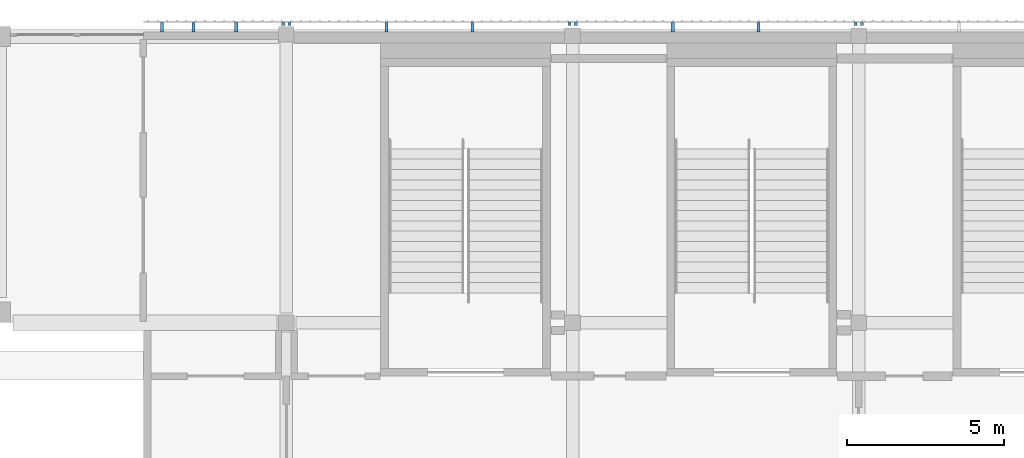
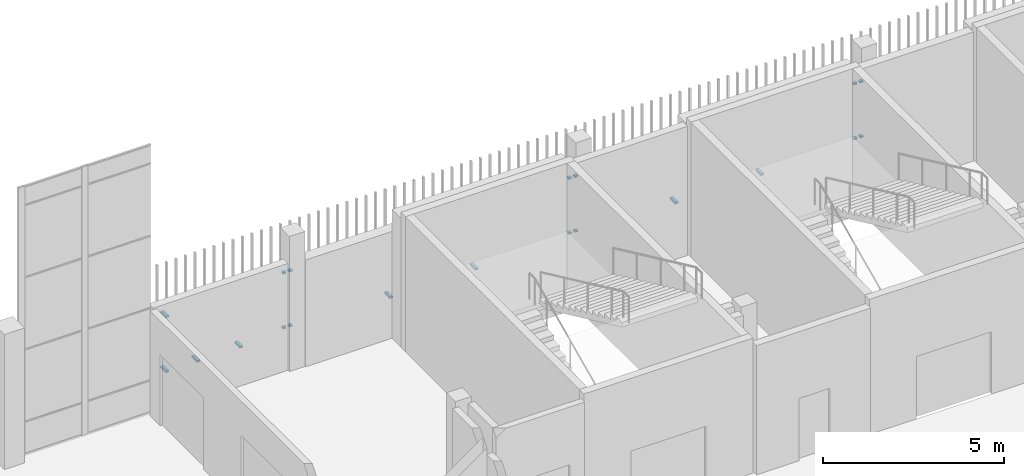
# One storey, part 69 of 91: 20 discrete accessories.
"""IFC4 building model written with IfcOpenShell, lengths in metres."""

from ifc_helpers import new_model, si_unit, direction, frame, origin, origin_2d, place, context, subcontext, project, spatial, rectangle, extrude, material, type_object, element, save


model = new_model("IFC4")

# Units and contexts
model_context = context("Model", 3, precision=1e-05, world=origin(), true_north=direction((0.0, 1.0)))
body_context = subcontext(model_context, "Body", "Model", "MODEL_VIEW")
ifc_project = project(units=[si_unit("LENGTHUNIT", "METRE"), si_unit("AREAUNIT", "SQUARE_METRE"), si_unit("VOLUMEUNIT", "CUBIC_METRE"), si_unit("PLANEANGLEUNIT", "RADIAN"), si_unit("MASSUNIT", "GRAM", prefix="KILO")], contexts=[model_context])

# Site, building, storey
site_placement = place(None, origin())
site = spatial("IfcSite", under=ifc_project, at=site_placement, CompositionType="ELEMENT")
building_placement = place(site_placement, origin())
building = spatial("IfcBuilding", under=site, at=building_placement, Name="Shirokan Park Arena", CompositionType="ELEMENT")
storey_placement = place(building_placement, frame((0.0, 0.0, 24.570068359375)))
storey = spatial("IfcBuildingStorey", under=building, at=storey_placement, Name="L05", CompositionType="ELEMENT", Elevation=24.570068359375)

# Discrete accessories
ifc_material = material(Name="Steel S355", Category="steel")
discrete_accessory_type = type_object("IfcDiscreteAccessoryType", Name="Veil bracket 100x60", PredefinedType="BRACKET", material=ifc_material)
for number, where, z_axis, x_axis, name in (
    (1, (127.5, 109.597412109375, 1.06982421875), (0.0, 0.0, 1.0), (-1.0, 0.0, 0.0), "Veil bracket north bay 2 L05 2"),
    (2, (127.5, 109.597412109375, 2.919921875), (0.0, 0.0, 1.0), (-1.0, 0.0, 0.0), "Veil bracket north bay 2 L05 4"),
    (3, (127.300048828125, 109.597412109375, 1.06982421875), (0.0, 0.0, 1.0), (-1.0, 0.0, 0.0), "Veil bracket north bay 3 L05 1"),
    (4, (118.39990234375, 109.597412109375, 1.06982421875), (0.0, 0.0, 1.0), (-1.0, 0.0, 0.0), "Veil bracket north bay 3 L05 2"),
    (5, (127.300048828125, 109.597412109375, 2.919921875), (0.0, 0.0, 1.0), (-1.0, 0.0, 0.0), "Veil bracket north bay 3 L05 3"),
    (6, (118.39990234375, 109.597412109375, 2.919921875), (0.0, 0.0, 1.0), (-1.0, 0.0, 0.0), "Veil bracket north bay 3 L05 4"),
):
    element("IfcDiscreteAccessory", number, at=place(storey_placement, frame(where, z_axis=z_axis, x_axis=x_axis)), inside=storey, type_object=discrete_accessory_type, Name=name, PredefinedType="BRACKET", context=body_context, shape_type="SweptSolid", body=[
        extrude(rectangle(XDim=0.10009765625, YDim=0.094970703125, at=origin_2d()), origin(), (0.0, 0.0, 1.0), 0.06005859375),
    ])
for number, where, z_axis, x_axis, name in (
    (7, (124.215087890625, 109.49755859375, 1.06982421875), (0.0, 0.0, 1.0), (-1.0, 0.0, 0.0), "Veil bracket north bay 3 L05 wall 1"),
    (8, (121.485107421875, 109.49755859375, 1.06982421875), (0.0, 0.0, 1.0), (-1.0, 0.0, 0.0), "Veil bracket north bay 3 L05 wall 2"),
):
    element("IfcDiscreteAccessory", number, at=place(storey_placement, frame(where, z_axis=z_axis, x_axis=x_axis)), inside=storey, type_object=discrete_accessory_type, Name=name, PredefinedType="BRACKET", context=body_context, shape_type="SweptSolid", body=[
        extrude(rectangle(XDim=0.10009765625, YDim=0.294921875, at=origin_2d()), origin(), (0.0, 0.0, 1.0), 0.06005859375),
    ])
for number, where, z_axis, x_axis, name in (
    (9, (118.199951171875, 109.597412109375, 1.06982421875), (0.0, 0.0, 1.0), (-1.0, 0.0, 0.0), "Veil bracket north bay 4 L05 1"),
    (10, (109.300048828125, 109.597412109375, 1.06982421875), (0.0, 0.0, 1.0), (-1.0, 0.0, 0.0), "Veil bracket north bay 4 L05 2"),
    (11, (118.199951171875, 109.597412109375, 2.919921875), (0.0, 0.0, 1.0), (-1.0, 0.0, 0.0), "Veil bracket north bay 4 L05 3"),
    (12, (109.300048828125, 109.597412109375, 2.919921875), (0.0, 0.0, 1.0), (-1.0, 0.0, 0.0), "Veil bracket north bay 4 L05 4"),
):
    element("IfcDiscreteAccessory", number, at=place(storey_placement, frame(where, z_axis=z_axis, x_axis=x_axis)), inside=storey, type_object=discrete_accessory_type, Name=name, PredefinedType="BRACKET", context=body_context, shape_type="SweptSolid", body=[
        extrude(rectangle(XDim=0.10009765625, YDim=0.094970703125, at=origin_2d()), origin(), (0.0, 0.0, 1.0), 0.06005859375),
    ])
for number, where, z_axis, x_axis, name in (
    (13, (115.114990234375, 109.49755859375, 1.06982421875), (0.0, 0.0, 1.0), (-1.0, 0.0, 0.0), "Veil bracket north bay 4 L05 wall 1"),
    (14, (112.385009765625, 109.49755859375, 1.06982421875), (0.0, 0.0, 1.0), (-1.0, 0.0, 0.0), "Veil bracket north bay 4 L05 wall 2"),
):
    element("IfcDiscreteAccessory", number, at=place(storey_placement, frame(where, z_axis=z_axis, x_axis=x_axis)), inside=storey, type_object=discrete_accessory_type, Name=name, PredefinedType="BRACKET", context=body_context, shape_type="SweptSolid", body=[
        extrude(rectangle(XDim=0.10009765625, YDim=0.294921875, at=origin_2d()), origin(), (0.0, 0.0, 1.0), 0.06005859375),
    ])
discrete_accessory_1_placement = place(storey_placement, frame((109.10009765625, 109.597412109375, 1.06982421875), z_axis=(0.0, 0.0, 1.0), x_axis=(-1.0, 0.0, 0.0)))
element("IfcDiscreteAccessory", 15, at=discrete_accessory_1_placement, inside=storey, type_object=discrete_accessory_type, Name="Veil bracket north bay 5 L05 1", PredefinedType="BRACKET", context=body_context, shape_type="SweptSolid", body=[
    extrude(rectangle(XDim=0.10009765625, YDim=0.094970703125, at=origin_2d()), origin(), (0.0, 0.0, 1.0), 0.06005859375),
])
discrete_accessory_2_placement = place(storey_placement, frame((105.25, 109.49755859375, 1.06982421875), z_axis=(0.0, 0.0, 1.0), x_axis=(-1.0, 0.0, 0.0)))
element("IfcDiscreteAccessory", 16, at=discrete_accessory_2_placement, inside=storey, type_object=discrete_accessory_type, Name="Veil bracket north bay 5 L05 2", PredefinedType="BRACKET", context=body_context, shape_type="SweptSolid", body=[
    extrude(rectangle(XDim=0.10009765625, YDim=0.294921875, at=origin_2d()), origin(), (0.0, 0.0, 1.0), 0.06005859375),
])
discrete_accessory_3_placement = place(storey_placement, frame((109.10009765625, 109.597412109375, 2.919921875), z_axis=(0.0, 0.0, 1.0), x_axis=(-1.0, 0.0, 0.0)))
element("IfcDiscreteAccessory", 17, at=discrete_accessory_3_placement, inside=storey, type_object=discrete_accessory_type, Name="Veil bracket north bay 5 L05 3", PredefinedType="BRACKET", context=body_context, shape_type="SweptSolid", body=[
    extrude(rectangle(XDim=0.10009765625, YDim=0.094970703125, at=origin_2d()), origin(), (0.0, 0.0, 1.0), 0.06005859375),
])
for number, where, z_axis, x_axis, name in (
    (18, (105.25, 109.49755859375, 2.919921875), (0.0, 0.0, 1.0), (-1.0, 0.0, 0.0), "Veil bracket north bay 5 L05 4"),
    (19, (107.607421875, 109.49755859375, 1.06982421875), (0.0, 0.0, 1.0), (-1.0, 0.0, 0.0), "Veil bracket north bay 5 L05 wall 1"),
    (20, (106.242431640625, 109.49755859375, 1.06982421875), (0.0, 0.0, 1.0), (-1.0, 0.0, 0.0), "Veil bracket north bay 5 L05 wall 2"),
):
    element("IfcDiscreteAccessory", number, at=place(storey_placement, frame(where, z_axis=z_axis, x_axis=x_axis)), inside=storey, type_object=discrete_accessory_type, Name=name, PredefinedType="BRACKET", context=body_context, shape_type="SweptSolid", body=[
        extrude(rectangle(XDim=0.10009765625, YDim=0.294921875, at=origin_2d()), origin(), (0.0, 0.0, 1.0), 0.06005859375),
    ])

save(model, "model.ifc")
